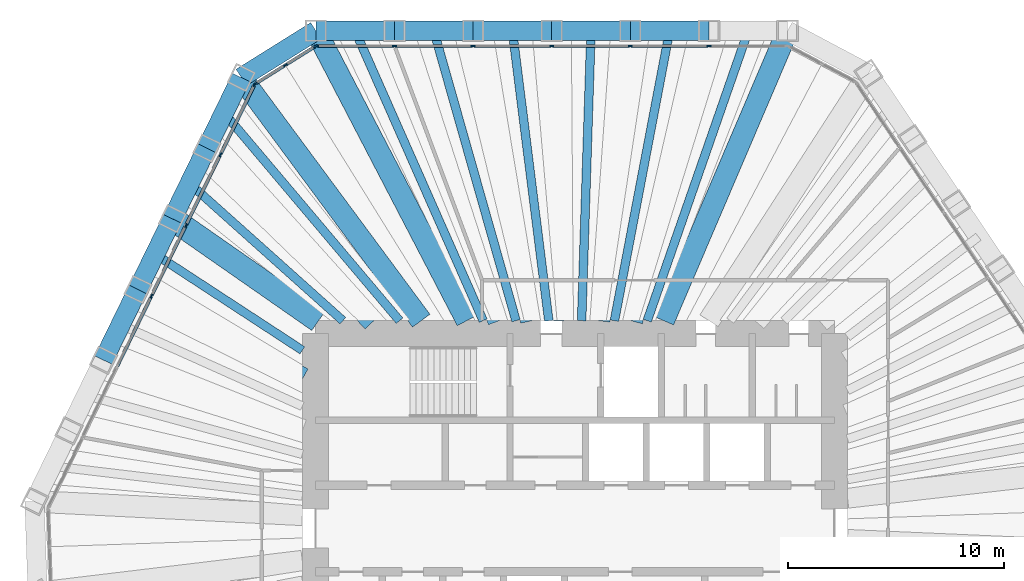
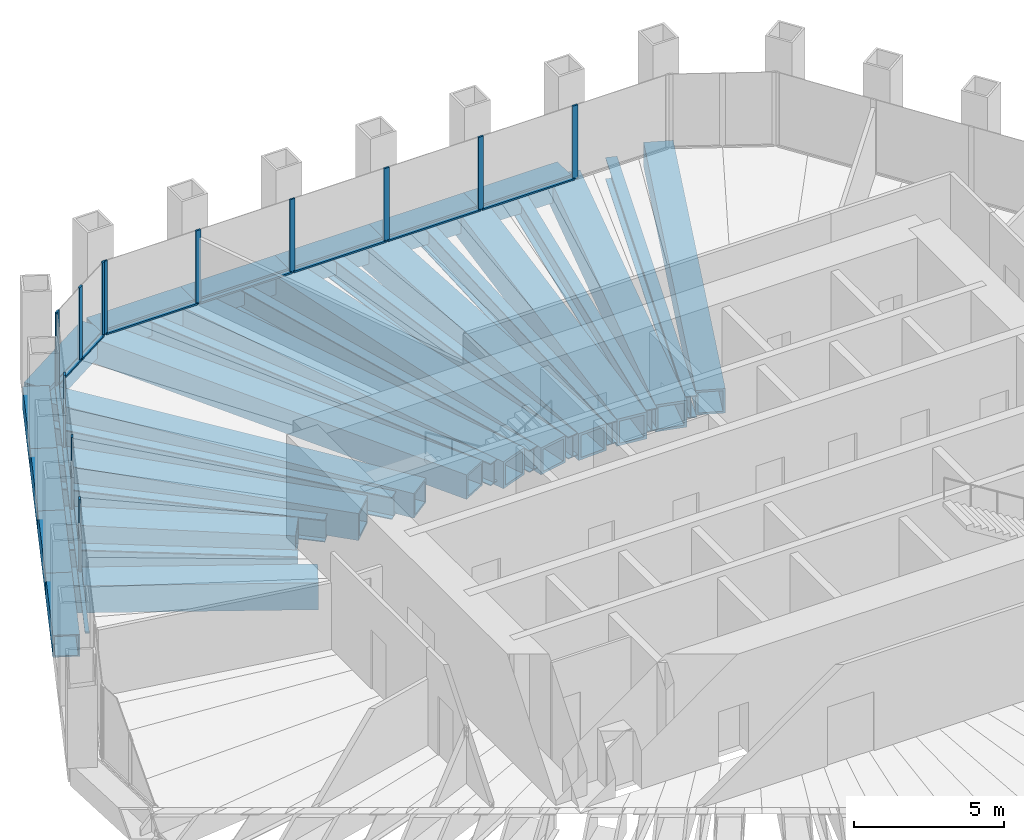
# One storey, part 5 of 12: 30 beams, 24 members, 3 elements without a shape of their own.
"""IFC4 building model written with IfcOpenShell, lengths in metres."""

import ifcopenshell
import ifcopenshell.guid

model = None  # the IFC model being written
_history = None  # IfcOwnerHistory: only IFC2X3 demands one
_inside = {}  # id of a spatial element -> (the spatial element, [elements in it])
_under = {}  # id of a project, library or spatial element -> (it, [spatial elements below it])
_declared = {}  # id of a project -> (the project, [libraries it declares])
_typed = {}  # id of a type object -> (the type object, [elements of that type])
_made_of = {}  # id of a material, layer set ... -> (it, [elements and type objects made of it])


def new_model(schema):
    """Start an empty IFC model of exactly this schema.

    Asked for "IFC4X3", IfcOpenShell would pick the latest addendum, in which some entities
    have other attributes; the version numbers below select the first issue.
    IFC2X3 requires an IfcOwnerHistory on every rooted entity: one is made here for all.
    """
    global model, _history
    if schema == "IFC4X3":
        model = ifcopenshell.file(schema_version=(4, 3, 0, 0))
    else:
        model = ifcopenshell.file(schema=schema)
    _inside.clear()
    _under.clear()
    _declared.clear()
    _typed.clear()
    _made_of.clear()
    _history = None
    if model.schema == "IFC2X3":
        org = make("IfcOrganization", Name="unknown")
        user = make(
            "IfcPersonAndOrganization",
            ThePerson=make("IfcPerson", FamilyName="unknown"),
            TheOrganization=org,
        )
        app = make(
            "IfcApplication",
            ApplicationDeveloper=org,
            Version="unknown",
            ApplicationFullName="unknown",
            ApplicationIdentifier="unknown",
        )
        _history = make(
            "IfcOwnerHistory",
            OwningUser=user,
            OwningApplication=app,
            ChangeAction="ADDED",
            CreationDate=0,
        )
    return model


def make(cls, **values):
    """One entity of the class cls with the attributes given. An attribute that is None is left unset."""
    return model.create_entity(
        cls, **{name: value for name, value in values.items() if value is not None}
    )


def rooted(cls, **values):
    """An entity with a GlobalId (a new one), such as an element, a storey or a relation."""
    return make(cls, GlobalId=ifcopenshell.guid.new(), OwnerHistory=_history, **values)


def si_unit(unit_type, name, prefix=None):
    """IfcSIUnit, for example si_unit("LENGTHUNIT", "METRE", prefix="MILLI")."""
    return make("IfcSIUnit", UnitType=unit_type, Prefix=prefix, Name=name)


def assignment(units):
    """IfcUnitAssignment: the units of a project."""
    return None if units is None else make("IfcUnitAssignment", Units=units)


def point(xyz):
    """IfcCartesianPoint."""
    return None if xyz is None else make("IfcCartesianPoint", Coordinates=xyz)


def direction(xyz):
    """IfcDirection."""
    return None if xyz is None else make("IfcDirection", DirectionRatios=xyz)


def frame(location, z_axis=None, x_axis=None):
    """IfcAxis2Placement3D, a coordinate frame: its origin and axes. An axis left out is left unset."""
    return make(
        "IfcAxis2Placement3D",
        Location=point(location),
        Axis=direction(z_axis),
        RefDirection=direction(x_axis),
    )


def frame_2d(location, x_axis=None):
    """IfcAxis2Placement2D, a coordinate frame in the plane: its origin and x axis."""
    return make(
        "IfcAxis2Placement2D", Location=point(location), RefDirection=direction(x_axis)
    )


def origin():
    """The frame at (0, 0, 0) with its axes left unset."""
    return frame((0.0, 0.0, 0.0))


def origin_2d():
    """The frame at (0, 0) in the plane with its x axis left unset."""
    return frame_2d((0.0, 0.0))


def place(relative_to, where):
    """IfcLocalPlacement: puts the frame where relative to a parent placement (None: the world)."""
    return make(
        "IfcLocalPlacement", PlacementRelTo=relative_to, RelativePlacement=where
    )


def context(
    kind, dimensions, precision=None, world=None, true_north=None, identifier=None
):
    """IfcGeometricRepresentationContext, for example the 3D "Model" context."""
    return make(
        "IfcGeometricRepresentationContext",
        ContextIdentifier=identifier,
        ContextType=kind,
        CoordinateSpaceDimension=dimensions,
        Precision=precision,
        WorldCoordinateSystem=world,
        TrueNorth=true_north,
    )


def subcontext(parent, identifier, kind, view, scale=None):
    """IfcGeometricRepresentationSubContext, for example "Body" below "Model"."""
    return make(
        "IfcGeometricRepresentationSubContext",
        ContextIdentifier=identifier,
        ContextType=kind,
        ParentContext=parent,
        TargetScale=scale,
        TargetView=view,
    )


def project(units=None, contexts=None):
    """IfcProject with its units and contexts."""
    return rooted(
        "IfcProject",
        Name="project",
        RepresentationContexts=contexts,
        UnitsInContext=assignment(units),
    )


def spatial(cls, under=None, at=None, **own):
    """A site, building, storey or space (cls), placed at a placement, below another one or the project."""
    s = rooted(cls, ObjectPlacement=at, **own)
    if under is not None:
        _under.setdefault(under.id(), (under, []))[1].append(s)
    return s


def profile(cls, at=None, kind="AREA", **sizes):
    """A parametric profile (cls). Its sizes go by their IFC names, for example OverallWidth=200.0."""
    return make(cls, ProfileType=kind, Position=at, **sizes)


def rectangle(**sizes):
    """IfcRectangleProfileDef."""
    return profile("IfcRectangleProfileDef", **sizes)


def hollow_rectangle(**sizes):
    """IfcRectangleHollowProfileDef."""
    return profile("IfcRectangleHollowProfileDef", **sizes)


def i_section(**sizes):
    """IfcIShapeProfileDef."""
    return profile("IfcIShapeProfileDef", **sizes)


def extrude(swept, where, along, depth):
    """IfcExtrudedAreaSolid: the profile swept, set in the frame where, extruded along a direction by depth."""
    return make(
        "IfcExtrudedAreaSolid",
        SweptArea=swept,
        Position=where,
        ExtrudedDirection=direction(along),
        Depth=depth,
    )


def shape(context_of_items, identifier, shape_type, items):
    """IfcShapeRepresentation: the items that make up one representation, for example the "Body"."""
    return make(
        "IfcShapeRepresentation",
        ContextOfItems=context_of_items,
        RepresentationIdentifier=identifier,
        RepresentationType=shape_type,
        Items=items,
    )


def material(Name=None, Category=None):
    """IfcMaterial."""
    return make("IfcMaterial", Name=Name, Category=Category)


def material_profile(
    of_material, cross_section, Name=None, Category=None, Priority=None
):
    """IfcMaterialProfile: a cross section and its material."""
    return make(
        "IfcMaterialProfile",
        Name=Name,
        Material=of_material,
        Profile=cross_section,
        Priority=Priority,
        Category=Category,
    )


def profile_set(profiles, Name=None, composite=None):
    """IfcMaterialProfileSet."""
    return make(
        "IfcMaterialProfileSet",
        Name=Name,
        MaterialProfiles=profiles,
        CompositeProfile=composite,
    )


def made_of(thing, what):
    """Note that an element or type object is made of a material, layer set ...; save() writes the relation."""
    if what is not None:
        _made_of.setdefault(what.id(), (what, []))[1].append(thing)
    return thing


def type_object(cls, material=None, **own):
    """A type object (cls), such as IfcWallType, which elements share."""
    return made_of(rooted(cls, **own), material)


def element(
    cls,
    number,
    at=None,
    inside=None,
    cuts=None,
    type_object=None,
    material=None,
    context=None,
    identifier="Body",
    shape_type=None,
    held_by="IfcProductDefinitionShape",
    body=None,
    shapes=None,
    **own,
):
    """One element of the class cls, such as IfcWall. Its Tag is "e" and its number.

    at: its placement. inside: the storey or other place that contains it. cuts: it is an
    opening in that element (IfcRelVoidsElement). A single representation is given by context,
    identifier, shape_type and body (its items); several are given by shapes. held_by: the class
    of the entity that holds the representations. save() writes the other relations.
    """
    e = rooted(cls, Tag="e%d" % number, ObjectPlacement=at, **own)
    if body is not None:
        shapes = [shape(context, identifier, shape_type, body)]
    if shapes is not None:
        e.Representation = make(held_by, Representations=shapes)
    if inside is not None:
        _inside.setdefault(inside.id(), (inside, []))[1].append(e)
    if cuts is not None:
        rooted(
            "IfcRelVoidsElement", RelatingBuildingElement=cuts, RelatedOpeningElement=e
        )
    if type_object is not None:
        _typed.setdefault(type_object.id(), (type_object, []))[1].append(e)
    return made_of(e, material)


def aggregate(whole, parts):
    """IfcRelAggregates: a whole, such as a stair, and the parts it consists of."""
    return rooted("IfcRelAggregates", RelatingObject=whole, RelatedObjects=parts)


def save(model, path):
    """Write the relations noted so far, then the file.

    IfcRelAggregates (storeys below a building ...), IfcRelContainedInSpatialStructure (elements
    in a storey), IfcRelDefinesByType, IfcRelAssociatesMaterial and IfcRelDeclares: one each for
    every whole, place, type object, material and project.
    """
    for whole, parts in _under.values():
        aggregate(whole, parts)
    for where, things in _inside.values():
        rooted(
            "IfcRelContainedInSpatialStructure",
            RelatedElements=things,
            RelatingStructure=where,
        )
    for kind, things in _typed.values():
        rooted("IfcRelDefinesByType", RelatedObjects=things, RelatingType=kind)
    for what, things in _made_of.values():
        rooted("IfcRelAssociatesMaterial", RelatedObjects=things, RelatingMaterial=what)
    for by, libraries in _declared.values():
        rooted("IfcRelDeclares", RelatingContext=by, RelatedDefinitions=libraries)
    model.write(path)


model = new_model("IFC4")

# Units and contexts
model_context = context("Model", 3, precision=1e-05, world=origin(), true_north=direction((0.0, 1.0)))
body_context = subcontext(model_context, "Body", "Model", "MODEL_VIEW")
ifc_project = project(units=[si_unit("LENGTHUNIT", "METRE"), si_unit("AREAUNIT", "SQUARE_METRE"), si_unit("VOLUMEUNIT", "CUBIC_METRE"), si_unit("PLANEANGLEUNIT", "RADIAN"), si_unit("MASSUNIT", "GRAM", prefix="KILO")], contexts=[model_context])

# Site, building, storey
site_placement = place(None, origin())
site = spatial("IfcSite", under=ifc_project, at=site_placement, CompositionType="ELEMENT")
building_placement = place(site_placement, origin())
building = spatial("IfcBuilding", under=site, at=building_placement, Name="Qingtian Harvest Tower", CompositionType="ELEMENT")
storey_placement = place(building_placement, frame((0.0, 0.0, 251.800048828125)))
storey = spatial("IfcBuildingStorey", under=building, at=storey_placement, Name="L55", CompositionType="ELEMENT", Elevation=251.800048828125)

# Beams
ifc_material_1 = material(Name="Steel SN490B", Category="steel")
ifc_material_profile_1 = material_profile(ifc_material_1, i_section(OverallWidth=0.39990234375, OverallDepth=0.89990234375, WebThickness=0.01904296875, FlangeThickness=0.035888671875, at=origin_2d()), Name="H900x400x19x36")
ifc_profile_set_1 = profile_set([ifc_material_profile_1], Name="Steel SN490B")
beam_type_1 = type_object("IfcBeamType", Name="Floor joist J4 H900x400x19x36", PredefinedType="JOIST", material=ifc_profile_set_1)
beam_1_placement = place(storey_placement, frame((-10.1552734375, 23.0, -0.6201171875), z_axis=(0.40391347792, -0.914797191925, 0.0), x_axis=(0.914797191925, 0.40391347792, 0.0)))
element("IfcBeam", 1, at=beam_1_placement, inside=storey, type_object=beam_type_1, Name="Floor joist J4 N0", PredefinedType="JOIST", context=body_context, shape_type="SweptSolid", body=[
    extrude(i_section(OverallWidth=0.39990234375, OverallDepth=0.89990234375, WebThickness=0.01904296875, FlangeThickness=0.035888671875, at=origin_2d()), origin(), (0.0, 0.0, 1.0), 14.64794921875),
])
beam_2_placement = place(storey_placement, frame((-6.521728515625, 23.0, -0.6201171875), z_axis=(0.272796737564, -0.962071691702, 0.0), x_axis=(0.962071691702, 0.272796737564, 0.0)))
element("IfcBeam", 2, at=beam_2_placement, inside=storey, type_object=beam_type_1, Name="Floor joist J4 N1", PredefinedType="JOIST", context=body_context, shape_type="SweptSolid", body=[
    extrude(i_section(OverallWidth=0.39990234375, OverallDepth=0.89990234375, WebThickness=0.01904296875, FlangeThickness=0.035888671875, at=origin_2d()), origin(), (0.0, 0.0, 1.0), 13.92822265625),
])
beam_3_placement = place(storey_placement, frame((-2.88818359375, 23.0, -0.6201171875), z_axis=(0.124590949529, -0.992208191508, 0.0), x_axis=(0.992208191508, 0.124590949529, 0.0)))
element("IfcBeam", 3, at=beam_3_placement, inside=storey, type_object=beam_type_1, Name="Floor joist J4 N2", PredefinedType="JOIST", context=body_context, shape_type="SweptSolid", body=[
    extrude(i_section(OverallWidth=0.39990234375, OverallDepth=0.89990234375, WebThickness=0.01904296875, FlangeThickness=0.035888671875, at=origin_2d()), origin(), (0.0, 0.0, 1.0), 13.505126953125),
])
beam_4_placement = place(storey_placement, frame((0.745361328125, 23.0, -0.6201171875), z_axis=(-0.032395624487, -0.99947512401, 0.0), x_axis=(0.99947512401, -0.032395624487, 0.0)))
element("IfcBeam", 4, at=beam_4_placement, inside=storey, type_object=beam_type_1, Name="Floor joist J4 N3", PredefinedType="JOIST", context=body_context, shape_type="SweptSolid", body=[
    extrude(i_section(OverallWidth=0.39990234375, OverallDepth=0.89990234375, WebThickness=0.01904296875, FlangeThickness=0.035888671875, at=origin_2d()), origin(), (0.0, 0.0, 1.0), 13.406982421875),
])
beam_5_placement = place(storey_placement, frame((4.37890625, 23.0, -0.6201171875), z_axis=(-0.187034797062, -0.982353289142, 0.0), x_axis=(0.982353289142, -0.187034797062, 0.0)))
element("IfcBeam", 5, at=beam_5_placement, inside=storey, type_object=beam_type_1, Name="Floor joist J4 N4", PredefinedType="JOIST", context=body_context, shape_type="SweptSolid", body=[
    extrude(i_section(OverallWidth=0.39990234375, OverallDepth=0.89990234375, WebThickness=0.01904296875, FlangeThickness=0.035888671875, at=origin_2d()), origin(), (0.0, 0.0, 1.0), 13.640625),
])
beam_6_placement = place(storey_placement, frame((8.012451171875, 23.0, -0.6201171875), z_axis=(-0.328969033283, -0.944340709247, 0.0), x_axis=(0.944340709247, -0.328969033283, 0.0)))
element("IfcBeam", 6, at=beam_6_placement, inside=storey, type_object=beam_type_1, Name="Floor joist J4 N5", PredefinedType="JOIST", context=body_context, shape_type="SweptSolid", body=[
    extrude(i_section(OverallWidth=0.39990234375, OverallDepth=0.89990234375, WebThickness=0.01904296875, FlangeThickness=0.035888671875, at=origin_2d()), origin(), (0.0, 0.0, 1.0), 14.189697265625),
])
beam_7_placement = place(storey_placement, frame((-19.40625, 12.678466796875, -0.6201171875), z_axis=(0.837161066611, -0.546956441182, 0.0), x_axis=(0.546956441182, 0.837161066611, 0.0)))
element("IfcBeam", 7, at=beam_7_placement, inside=storey, type_object=beam_type_1, Name="Floor joist J4 NW3", PredefinedType="JOIST", context=body_context, shape_type="SweptSolid", body=[
    extrude(i_section(OverallWidth=0.39990234375, OverallDepth=0.89990234375, WebThickness=0.01904296875, FlangeThickness=0.035888671875, at=origin_2d()), origin(), (0.0, 0.0, 1.0), 8.130126953125),
])
beam_8_placement = place(storey_placement, frame((-17.813232421875, 15.944091796875, -0.6201171875), z_axis=(0.745126517589, -0.66692313859, 0.0), x_axis=(0.66692313859, 0.745126517589, 0.0)))
element("IfcBeam", 8, at=beam_8_placement, inside=storey, type_object=beam_type_1, Name="Floor joist J4 NW4", PredefinedType="JOIST", context=body_context, shape_type="SweptSolid", body=[
    extrude(i_section(OverallWidth=0.39990234375, OverallDepth=0.89990234375, WebThickness=0.01904296875, FlangeThickness=0.035888671875, at=origin_2d()), origin(), (0.0, 0.0, 1.0), 9.512451171875),
])
beam_9_placement = place(storey_placement, frame((-16.220458984375, 19.2099609375, -0.6201171875), z_axis=(0.645157903911, -0.764049264787, 0.0), x_axis=(0.764049264787, 0.645157903911, 0.0)))
element("IfcBeam", 9, at=beam_9_placement, inside=storey, type_object=beam_type_1, Name="Floor joist J4 NW5", PredefinedType="JOIST", context=body_context, shape_type="SweptSolid", body=[
    extrude(i_section(OverallWidth=0.39990234375, OverallDepth=0.89990234375, WebThickness=0.01904296875, FlangeThickness=0.035888671875, at=origin_2d()), origin(), (0.0, 0.0, 1.0), 12.57763671875),
])

# Curtain wall, members
ifc_material_2 = material(Name="Bronze-anodised aluminium curtain wall", Category="aluminium")
curtain_wall_type = type_object("IfcCurtainWallType", Name="Curtain wall CW4 office", PredefinedType="USERDEFINED", material=ifc_material_2)
curtain_wall_1_placement = place(storey_placement, origin())
curtain_wall_1 = element("IfcCurtainWall", 10, at=curtain_wall_1_placement, inside=storey, type_object=curtain_wall_type, Name="Curtain wall CW4 L55 N0-5", ObjectType="RECESSED CURTAIN WALL", PredefinedType="USERDEFINED")
ifc_material_3 = material(Name="Bronze-anodised aluminium mullion", Category="aluminium")
ifc_material_profile_2 = material_profile(ifc_material_3, rectangle(XDim=0.06494140625, YDim=0.199951171875, at=origin_2d()), Name="AL 65x200")
ifc_profile_set_2 = profile_set([ifc_material_profile_2], Name="Bronze-anodised aluminium mullion")
member_type_1 = type_object("IfcMemberType", Name="Mullion CWM 65x200", PredefinedType="MULLION", material=ifc_profile_set_2)
member_1_placement = place(storey_placement, frame((-11.939453125, 22.300048828125, 0.0), z_axis=(0.0, 0.0, 1.0), x_axis=(0.0, 1.0, 0.0)))
member_1 = element("IfcMember", 11, at=member_1_placement, type_object=member_type_1, Name="CW4 mullion 1", PredefinedType="MULLION", context=body_context, shape_type="SweptSolid", body=[
    extrude(rectangle(XDim=0.06494140625, YDim=0.199951171875, at=origin_2d()), origin(), (0.0, 0.0, 1.0), 3.0),
])
member_2_placement = place(storey_placement, frame((-8.33837890625, 22.300048828125, 0.0), z_axis=(0.0, 0.0, 1.0), x_axis=(0.0, 1.0, 0.0)))
member_2 = element("IfcMember", 12, at=member_2_placement, type_object=member_type_1, Name="CW4 mullion 2", PredefinedType="MULLION", context=body_context, shape_type="SweptSolid", body=[
    extrude(rectangle(XDim=0.06494140625, YDim=0.199951171875, at=origin_2d()), origin(), (0.0, 0.0, 1.0), 3.0),
])
member_3_placement = place(storey_placement, frame((-4.704833984375, 22.300048828125, 0.0), z_axis=(0.0, 0.0, 1.0), x_axis=(0.0, 1.0, 0.0)))
member_3 = element("IfcMember", 13, at=member_3_placement, type_object=member_type_1, Name="CW4 mullion 3", PredefinedType="MULLION", context=body_context, shape_type="SweptSolid", body=[
    extrude(rectangle(XDim=0.06494140625, YDim=0.199951171875, at=origin_2d()), origin(), (0.0, 0.0, 1.0), 3.0),
])
member_4_placement = place(storey_placement, frame((-1.0712890625, 22.300048828125, 0.0), z_axis=(0.0, 0.0, 1.0), x_axis=(0.0, 1.0, 0.0)))
member_4 = element("IfcMember", 14, at=member_4_placement, type_object=member_type_1, Name="CW4 mullion 4", PredefinedType="MULLION", context=body_context, shape_type="SweptSolid", body=[
    extrude(rectangle(XDim=0.06494140625, YDim=0.199951171875, at=origin_2d()), origin(), (0.0, 0.0, 1.0), 3.0),
])
member_5_placement = place(storey_placement, frame((2.562255859375, 22.300048828125, 0.0), z_axis=(0.0, 0.0, 1.0), x_axis=(0.0, 1.0, 0.0)))
member_5 = element("IfcMember", 15, at=member_5_placement, type_object=member_type_1, Name="CW4 mullion 5", PredefinedType="MULLION", context=body_context, shape_type="SweptSolid", body=[
    extrude(rectangle(XDim=0.06494140625, YDim=0.199951171875, at=origin_2d()), origin(), (0.0, 0.0, 1.0), 3.0),
])
member_6_placement = place(storey_placement, frame((6.19580078125, 22.300048828125, 0.0), z_axis=(0.0, 0.0, 1.0), x_axis=(0.0, 1.0, 0.0)))
member_6 = element("IfcMember", 16, at=member_6_placement, type_object=member_type_1, Name="CW4 mullion 6", PredefinedType="MULLION", context=body_context, shape_type="SweptSolid", body=[
    extrude(rectangle(XDim=0.06494140625, YDim=0.199951171875, at=origin_2d()), origin(), (0.0, 0.0, 1.0), 3.0),
])

curtain_wall_2_placement = place(storey_placement, origin())
curtain_wall_2 = element("IfcCurtainWall", 17, at=curtain_wall_2_placement, inside=storey, type_object=curtain_wall_type, Name="Curtain wall CW4 L55 NW0-5", ObjectType="RECESSED CURTAIN WALL", PredefinedType="USERDEFINED")
member_7_placement = place(storey_placement, frame((-19.573486328125, 10.738525390625, 0.0), z_axis=(0.0, 0.0, 1.0), x_axis=(-0.898794046299, 0.438371146789, 0.0)))
member_7 = element("IfcMember", 18, at=member_7_placement, type_object=member_type_1, Name="CW4 mullion 4", PredefinedType="MULLION", context=body_context, shape_type="SweptSolid", body=[
    extrude(rectangle(XDim=0.06494140625, YDim=0.199951171875, at=origin_2d()), origin(), (0.0, 0.0, 1.0), 3.0),
])
member_8_placement = place(storey_placement, frame((-17.980712890625, 14.00439453125, 0.0), z_axis=(0.0, 0.0, 1.0), x_axis=(-0.898794046299, 0.438371146789, 0.0)))
member_8 = element("IfcMember", 19, at=member_8_placement, type_object=member_type_1, Name="CW4 mullion 5", PredefinedType="MULLION", context=body_context, shape_type="SweptSolid", body=[
    extrude(rectangle(XDim=0.06494140625, YDim=0.199951171875, at=origin_2d()), origin(), (0.0, 0.0, 1.0), 3.0),
])
member_9_placement = place(storey_placement, frame((-16.3876953125, 17.270263671875, 0.0), z_axis=(0.0, 0.0, 1.0), x_axis=(-0.898794046299, 0.438371146789, 0.0)))
member_9 = element("IfcMember", 20, at=member_9_placement, type_object=member_type_1, Name="CW4 mullion 6", PredefinedType="MULLION", context=body_context, shape_type="SweptSolid", body=[
    extrude(rectangle(XDim=0.06494140625, YDim=0.199951171875, at=origin_2d()), origin(), (0.0, 0.0, 1.0), 3.0),
])
member_10_placement = place(storey_placement, frame((-14.80908203125, 20.5068359375, 0.0), z_axis=(0.0, 0.0, 1.0), x_axis=(-0.898794046299, 0.438371146789, 0.0)))
member_10 = element("IfcMember", 21, at=member_10_placement, type_object=member_type_1, Name="CW4 mullion 7", PredefinedType="MULLION", context=body_context, shape_type="SweptSolid", body=[
    extrude(rectangle(XDim=0.06494140625, YDim=0.199951171875, at=origin_2d()), origin(), (0.0, 0.0, 1.0), 3.0),
])

curtain_wall_3_placement = place(storey_placement, origin())
curtain_wall_3 = element("IfcCurtainWall", 22, at=curtain_wall_3_placement, inside=storey, type_object=curtain_wall_type, Name="Curtain wall CW4 L55 NWC", ObjectType="RECESSED CURTAIN WALL", PredefinedType="USERDEFINED")
member_11_placement = place(storey_placement, frame((-14.767333984375, 20.55322265625, 0.0), z_axis=(0.0, 0.0, 1.0), x_axis=(-0.529919264233, 0.848048096156, 0.0)))
member_11 = element("IfcMember", 23, at=member_11_placement, type_object=member_type_1, Name="CW4 mullion 1", PredefinedType="MULLION", context=body_context, shape_type="SweptSolid", body=[
    extrude(rectangle(XDim=0.06494140625, YDim=0.199951171875, at=origin_2d()), origin(), (0.0, 0.0, 1.0), 3.0),
])
member_12_placement = place(storey_placement, frame((-13.383544921875, 21.41796875, 0.0), z_axis=(0.0, 0.0, 1.0), x_axis=(-0.529919264233, 0.848048096156, 0.0)))
member_12 = element("IfcMember", 24, at=member_12_placement, type_object=member_type_1, Name="CW4 mullion 2", PredefinedType="MULLION", context=body_context, shape_type="SweptSolid", body=[
    extrude(rectangle(XDim=0.06494140625, YDim=0.199951171875, at=origin_2d()), origin(), (0.0, 0.0, 1.0), 3.0),
])
member_13_placement = place(storey_placement, frame((-11.99951171875, 22.28271484375, 0.0), z_axis=(0.0, 0.0, 1.0), x_axis=(-0.529919264233, 0.848048096156, 0.0)))
member_13 = element("IfcMember", 25, at=member_13_placement, type_object=member_type_1, Name="CW4 mullion 3", PredefinedType="MULLION", context=body_context, shape_type="SweptSolid", body=[
    extrude(rectangle(XDim=0.06494140625, YDim=0.199951171875, at=origin_2d()), origin(), (0.0, 0.0, 1.0), 3.0),
])

# Beams
ifc_material_4 = material(Name="Steel SM570MC", Category="steel")
ifc_material_profile_3 = material_profile(ifc_material_4, hollow_rectangle(XDim=1.0, YDim=1.0, WallThickness=0.080078125, at=origin_2d()), Name="BOX1000x1000x80")
ifc_profile_set_3 = profile_set([ifc_material_profile_3], Name="Steel SM570MC")
beam_type_2 = type_object("IfcBeamType", Name="Transfer corner beam FB11 BOX1000x1000x80", PredefinedType="BEAM", material=ifc_profile_set_3)
beam_10_placement = place(storey_placement, frame((-11.971923828125, 23.0, -0.670166015625), z_axis=(0.461712460868, -0.887029651973, 0.0), x_axis=(0.887029651973, 0.461712460868, 0.0)))
element("IfcBeam", 26, at=beam_10_placement, inside=storey, type_object=beam_type_2, Name="Floor beam FB11 N0", PredefinedType="BEAM", context=body_context, shape_type="SweptSolid", body=[
    extrude(hollow_rectangle(XDim=1.0, YDim=1.0, WallThickness=0.080078125, at=origin_2d()), origin(), (0.0, 0.0, 1.0), 15.1064453125),
])
beam_11_placement = place(storey_placement, frame((9.829345703125, 23.0, -0.670166015625), z_axis=(-0.392976835482, -0.91954837109, 0.0), x_axis=(0.91954837109, -0.392976835482, 0.0)))
element("IfcBeam", 27, at=beam_11_placement, inside=storey, type_object=beam_type_2, Name="Floor beam FB11 N6", PredefinedType="BEAM", context=body_context, shape_type="SweptSolid", body=[
    extrude(hollow_rectangle(XDim=1.0, YDim=1.0, WallThickness=0.080078125, at=origin_2d()), origin(), (0.0, 0.0, 1.0), 14.572265625),
])
beam_12_placement = place(storey_placement, frame((-15.424072265625, 20.8427734375, -0.670166015625), z_axis=(0.594854284538, -0.803833552526, 0.0), x_axis=(0.803833552526, 0.594854284538, 0.0)))
element("IfcBeam", 28, at=beam_12_placement, inside=storey, type_object=beam_type_2, Name="Floor beam FB11 NW6", PredefinedType="BEAM", context=body_context, shape_type="SweptSolid", body=[
    extrude(hollow_rectangle(XDim=1.0, YDim=1.0, WallThickness=0.080078125, at=origin_2d()), origin(), (0.0, 0.0, 1.0), 13.986328125),
])
ifc_material_5 = material(Name="Steel SM570MC", Category="steel")
ifc_material_profile_4 = material_profile(ifc_material_5, hollow_rectangle(XDim=1.10009765625, YDim=1.10009765625, WallThickness=0.10009765625, at=origin_2d()), Name="BOX1100x1100x100")
ifc_profile_set_4 = profile_set([ifc_material_profile_4], Name="Steel SM570MC")
beam_type_3 = type_object("IfcBeamType", Name="Transfer floor beam FB9 BOX1100x1100x100", PredefinedType="BEAM", material=ifc_profile_set_4)
beam_13_placement = place(storey_placement, frame((-8.33837890625, 23.0, -0.719970703125), z_axis=(0.340826952705, -0.94012604916, 0.0), x_axis=(0.94012604916, 0.340826952705, 0.0)))
element("IfcBeam", 29, at=beam_13_placement, inside=storey, type_object=beam_type_3, Name="Floor beam FB9 N1", PredefinedType="BEAM", context=body_context, shape_type="SweptSolid", body=[
    extrude(hollow_rectangle(XDim=1.10009765625, YDim=1.10009765625, WallThickness=0.10009765625, at=origin_2d()), origin(), (0.0, 0.0, 1.0), 14.25341796875),
])
beam_14_placement = place(storey_placement, frame((-4.704833984375, 23.0, -0.719970703125), z_axis=(0.200401687601, -0.979713817197, 0.0), x_axis=(0.979713817197, 0.200401687601, 0.0)))
element("IfcBeam", 30, at=beam_14_placement, inside=storey, type_object=beam_type_3, Name="Floor beam FB9 N2", PredefinedType="BEAM", context=body_context, shape_type="SweptSolid", body=[
    extrude(hollow_rectangle(XDim=1.10009765625, YDim=1.10009765625, WallThickness=0.10009765625, at=origin_2d()), origin(), (0.0, 0.0, 1.0), 13.67724609375),
])
beam_15_placement = place(storey_placement, frame((-1.0712890625, 23.0, -0.719970703125), z_axis=(0.04651883736, -0.998917412888, 0.0), x_axis=(0.998917412888, 0.04651883736, 0.0)))
element("IfcBeam", 31, at=beam_15_placement, inside=storey, type_object=beam_type_3, Name="Floor beam FB9 N3", PredefinedType="BEAM", context=body_context, shape_type="SweptSolid", body=[
    extrude(hollow_rectangle(XDim=1.10009765625, YDim=1.10009765625, WallThickness=0.10009765625, at=origin_2d()), origin(), (0.0, 0.0, 1.0), 13.414306640625),
])
beam_16_placement = place(storey_placement, frame((2.562255859375, 23.0, -0.719970703125), z_axis=(-0.110727645803, -0.993850787822, 0.0), x_axis=(0.993850787822, -0.110727645803, 0.0)))
element("IfcBeam", 32, at=beam_16_placement, inside=storey, type_object=beam_type_3, Name="Floor beam FB9 N4", PredefinedType="BEAM", context=body_context, shape_type="SweptSolid", body=[
    extrude(hollow_rectangle(XDim=1.10009765625, YDim=1.10009765625, WallThickness=0.10009765625, at=origin_2d()), origin(), (0.0, 0.0, 1.0), 13.48291015625),
])
beam_17_placement = place(storey_placement, frame((6.19580078125, 23.0, -0.719970703125), z_axis=(-0.260121100906, -0.965576000563, 0.0), x_axis=(0.965576000563, -0.260121100906, 0.0)))
element("IfcBeam", 33, at=beam_17_placement, inside=storey, type_object=beam_type_3, Name="Floor beam FB9 N5", PredefinedType="BEAM", context=body_context, shape_type="SweptSolid", body=[
    extrude(hollow_rectangle(XDim=1.10009765625, YDim=1.10009765625, WallThickness=0.10009765625, at=origin_2d()), origin(), (0.0, 0.0, 1.0), 13.877685546875),
])
beam_18_placement = place(storey_placement, frame((-20.20263671875, 11.04541015625, -0.719970703125), z_axis=(0.87742673539, -0.479710666988, 0.0), x_axis=(0.479710666988, 0.87742673539, 0.0)))
element("IfcBeam", 34, at=beam_18_placement, inside=storey, type_object=beam_type_3, Name="Floor beam FB9 NW3", PredefinedType="BEAM", context=body_context, shape_type="SweptSolid", body=[
    extrude(hollow_rectangle(XDim=1.10009765625, YDim=1.10009765625, WallThickness=0.10009765625, at=origin_2d()), origin(), (0.0, 0.0, 1.0), 8.66455078125),
])
beam_19_placement = place(storey_placement, frame((-18.60986328125, 14.311279296875, -0.719970703125), z_axis=(0.820407854234, -0.571778762032, 0.0), x_axis=(0.571778762032, 0.820407854234, 0.0)))
element("IfcBeam", 35, at=beam_19_placement, inside=storey, type_object=beam_type_3, Name="Floor beam FB9 NW4", PredefinedType="BEAM", context=body_context, shape_type="SweptSolid", body=[
    extrude(hollow_rectangle(XDim=1.10009765625, YDim=1.10009765625, WallThickness=0.10009765625, at=origin_2d()), origin(), (0.0, 0.0, 1.0), 8.239501953125),
])
beam_20_placement = place(storey_placement, frame((-17.016845703125, 17.5771484375, -0.719970703125), z_axis=(0.695569024353, -0.718459276759, 0.0), x_axis=(0.718459276759, 0.695569024353, 0.0)))
element("IfcBeam", 36, at=beam_20_placement, inside=storey, type_object=beam_type_3, Name="Floor beam FB9 NW5", PredefinedType="BEAM", context=body_context, shape_type="SweptSolid", body=[
    extrude(hollow_rectangle(XDim=1.10009765625, YDim=1.10009765625, WallThickness=0.10009765625, at=origin_2d()), origin(), (0.0, 0.0, 1.0), 11.10302734375),
])
ifc_material_6 = material(Name="Steel SM570MC", Category="steel")
ifc_material_profile_5 = material_profile(ifc_material_6, hollow_rectangle(XDim=0.89990234375, YDim=0.89990234375, WallThickness=0.050048828125, at=origin_2d()), Name="BOX900x900x50")
ifc_profile_set_5 = profile_set([ifc_material_profile_5], Name="Steel SM570MC")
beam_type_4 = type_object("IfcBeamType", Name="Transition spandrel SB6 BOX900x900x50", PredefinedType="SPANDREL", material=ifc_profile_set_5)
for number, where, z_axis, x_axis, name in (
    (37, (-11.971923828125, 23.0, -0.449951171875), (1.0, 0.0, 0.0), (0.0, 1.0, 0.0), "Spandrel SB6 N0"),
    (38, (-8.33837890625, 23.0, -0.449951171875), (1.0, 0.0, 0.0), (0.0, 1.0, 0.0), "Spandrel SB6 N1"),
    (39, (-4.704833984375, 23.0, -0.449951171875), (1.0, 0.0, 0.0), (0.0, 1.0, 0.0), "Spandrel SB6 N2"),
    (40, (-1.0712890625, 23.0, -0.449951171875), (1.0, 0.0, 0.0), (0.0, 1.0, 0.0), "Spandrel SB6 N3"),
    (41, (2.562255859375, 23.0, -0.449951171875), (1.0, 0.0, 0.0), (0.0, 1.0, 0.0), "Spandrel SB6 N4"),
    (42, (-21.79541015625, 7.779541015625, -0.449951171875), (0.438349498419, 0.898804604592, 0.0), (-0.898804604592, 0.438349498419, 0.0), "Spandrel SB6 NW2"),
    (43, (-20.20263671875, 11.04541015625, -0.449951171875), (0.438349498419, 0.898804604592, 0.0), (-0.898804604592, 0.438349498419, 0.0), "Spandrel SB6 NW3"),
):
    element("IfcBeam", number, at=place(storey_placement, frame(where, z_axis=z_axis, x_axis=x_axis)), inside=storey, type_object=beam_type_4, Name=name, PredefinedType="SPANDREL", context=body_context, shape_type="SweptSolid", body=[
        extrude(hollow_rectangle(XDim=0.89990234375, YDim=0.89990234375, WallThickness=0.050048828125, at=origin_2d()), origin(), (0.0, 0.0, 1.0), 3.633544921875),
    ])
beam_21_placement = place(storey_placement, frame((-18.60986328125, 14.311279296875, -0.449951171875), z_axis=(0.438403775684, 0.898778131391, 0.0), x_axis=(-0.898778131391, 0.438403775684, 0.0)))
element("IfcBeam", 44, at=beam_21_placement, inside=storey, type_object=beam_type_4, Name="Spandrel SB6 NW4", PredefinedType="SPANDREL", context=body_context, shape_type="SweptSolid", body=[
    extrude(hollow_rectangle(XDim=0.89990234375, YDim=0.89990234375, WallThickness=0.050048828125, at=origin_2d()), origin(), (0.0, 0.0, 1.0), 3.6337890625),
])
beam_22_placement = place(storey_placement, frame((-17.016845703125, 17.5771484375, -0.449951171875), z_axis=(0.43837597217, 0.898791692788, 0.0), x_axis=(-0.898791692788, 0.43837597217, 0.0)))
element("IfcBeam", 45, at=beam_22_placement, inside=storey, type_object=beam_type_4, Name="Spandrel SB6 NW5", PredefinedType="SPANDREL", context=body_context, shape_type="SweptSolid", body=[
    extrude(hollow_rectangle(XDim=0.89990234375, YDim=0.89990234375, WallThickness=0.050048828125, at=origin_2d()), origin(), (0.0, 0.0, 1.0), 3.63330078125),
])
beam_23_placement = place(storey_placement, frame((-15.424072265625, 20.8427734375, -0.449951171875), z_axis=(0.848038733752, 0.529934246919, 0.0), x_axis=(-0.529934246919, 0.848038733752, 0.0)))
element("IfcBeam", 46, at=beam_23_placement, inside=storey, type_object=beam_type_4, Name="Spandrel SB6 NWC", PredefinedType="SPANDREL", context=body_context, shape_type="SweptSolid", body=[
    extrude(hollow_rectangle(XDim=0.89990234375, YDim=0.89990234375, WallThickness=0.050048828125, at=origin_2d()), origin(), (0.0, 0.0, 1.0), 4.07080078125),
])

# Member
ifc_material_7 = material(Name="Bronze-anodised aluminium transom", Category="aluminium")
ifc_material_profile_6 = material_profile(ifc_material_7, rectangle(XDim=0.14990234375, YDim=0.06494140625, at=origin_2d()), Name="AL 65x150")
ifc_profile_set_6 = profile_set([ifc_material_profile_6], Name="Bronze-anodised aluminium transom")
member_type_2 = type_object("IfcMemberType", Name="Transom CWT 65x150", PredefinedType="USERDEFINED", material=ifc_profile_set_6)
member_14_placement = place(storey_placement, frame((-11.906982421875, 22.300048828125, 0.032470703125), z_axis=(1.0, 0.0, 0.0), x_axis=(0.0, 1.0, 0.0)))
member_14 = element("IfcMember", 47, at=member_14_placement, type_object=member_type_2, Name="CW4 transom 1.1", ObjectType="TRANSOM", PredefinedType="USERDEFINED", context=body_context, shape_type="SweptSolid", body=[
    extrude(rectangle(XDim=0.14990234375, YDim=0.06494140625, at=origin_2d()), origin(), (0.0, 0.0, 1.0), 3.5361328125),
])

member_15_placement = place(storey_placement, frame((-8.305908203125, 22.300048828125, 0.032470703125), z_axis=(1.0, 0.0, 0.0), x_axis=(0.0, 1.0, 0.0)))
member_15 = element("IfcMember", 48, at=member_15_placement, type_object=member_type_2, Name="CW4 transom 2.1", ObjectType="TRANSOM", PredefinedType="USERDEFINED", context=body_context, shape_type="SweptSolid", body=[
    extrude(rectangle(XDim=0.14990234375, YDim=0.06494140625, at=origin_2d()), origin(), (0.0, 0.0, 1.0), 3.568603515625),
])

member_16_placement = place(storey_placement, frame((-4.67236328125, 22.300048828125, 0.032470703125), z_axis=(1.0, 0.0, 0.0), x_axis=(0.0, 1.0, 0.0)))
member_16 = element("IfcMember", 49, at=member_16_placement, type_object=member_type_2, Name="CW4 transom 3.1", ObjectType="TRANSOM", PredefinedType="USERDEFINED", context=body_context, shape_type="SweptSolid", body=[
    extrude(rectangle(XDim=0.14990234375, YDim=0.06494140625, at=origin_2d()), origin(), (0.0, 0.0, 1.0), 3.568603515625),
])

member_17_placement = place(storey_placement, frame((-1.038818359375, 22.300048828125, 0.032470703125), z_axis=(1.0, 0.0, 0.0), x_axis=(0.0, 1.0, 0.0)))
member_17 = element("IfcMember", 50, at=member_17_placement, type_object=member_type_2, Name="CW4 transom 4.1", ObjectType="TRANSOM", PredefinedType="USERDEFINED", context=body_context, shape_type="SweptSolid", body=[
    extrude(rectangle(XDim=0.14990234375, YDim=0.06494140625, at=origin_2d()), origin(), (0.0, 0.0, 1.0), 3.568603515625),
])

member_18_placement = place(storey_placement, frame((2.5947265625, 22.300048828125, 0.032470703125), z_axis=(1.0, 0.0, 0.0), x_axis=(0.0, 1.0, 0.0)))
member_18 = element("IfcMember", 51, at=member_18_placement, type_object=member_type_2, Name="CW4 transom 5.1", ObjectType="TRANSOM", PredefinedType="USERDEFINED", context=body_context, shape_type="SweptSolid", body=[
    extrude(rectangle(XDim=0.14990234375, YDim=0.06494140625, at=origin_2d()), origin(), (0.0, 0.0, 1.0), 3.568603515625),
])

aggregate(curtain_wall_1, [member_1, member_2, member_3, member_4, member_5, member_6, member_14, member_15, member_16, member_17, member_18])

member_19_placement = place(storey_placement, frame((-21.152099609375, 7.501953125, 0.032470703125), z_axis=(0.438380500422, 0.898789484167, 0.0), x_axis=(-0.898789484167, 0.438380500422, 0.0)))
member_19 = element("IfcMember", 52, at=member_19_placement, type_object=member_type_2, Name="CW4 transom 3.1", ObjectType="TRANSOM", PredefinedType="USERDEFINED", context=body_context, shape_type="SweptSolid", body=[
    extrude(rectangle(XDim=0.14990234375, YDim=0.06494140625, at=origin_2d()), origin(), (0.0, 0.0, 1.0), 3.568603515625),
])

member_20_placement = place(storey_placement, frame((-19.559326171875, 10.767822265625, 0.032470703125), z_axis=(0.438407456795, 0.898776335818, 0.0), x_axis=(-0.898776335818, 0.438407456795, 0.0)))
member_20 = element("IfcMember", 53, at=member_20_placement, type_object=member_type_2, Name="CW4 transom 4.1", ObjectType="TRANSOM", PredefinedType="USERDEFINED", context=body_context, shape_type="SweptSolid", body=[
    extrude(rectangle(XDim=0.14990234375, YDim=0.06494140625, at=origin_2d()), origin(), (0.0, 0.0, 1.0), 3.568603515625),
])

member_21_placement = place(storey_placement, frame((-17.96630859375, 14.03369140625, 0.032470703125), z_axis=(0.438352188226, 0.898803292761, 0.0), x_axis=(-0.898803292761, 0.438352188226, 0.0)))
member_21 = element("IfcMember", 54, at=member_21_placement, type_object=member_type_2, Name="CW4 transom 5.1", ObjectType="TRANSOM", PredefinedType="USERDEFINED", context=body_context, shape_type="SweptSolid", body=[
    extrude(rectangle(XDim=0.14990234375, YDim=0.06494140625, at=origin_2d()), origin(), (0.0, 0.0, 1.0), 3.568359375),
])

member_22_placement = place(storey_placement, frame((-16.37353515625, 17.29931640625, 0.032470703125), z_axis=(0.438354255898, 0.898802284341, 0.0), x_axis=(-0.898802284341, 0.438354255898, 0.0)))
member_22 = element("IfcMember", 55, at=member_22_placement, type_object=member_type_2, Name="CW4 transom 6.1", ObjectType="TRANSOM", PredefinedType="USERDEFINED", context=body_context, shape_type="SweptSolid", body=[
    extrude(rectangle(XDim=0.14990234375, YDim=0.06494140625, at=origin_2d()), origin(), (0.0, 0.0, 1.0), 3.5361328125),
])

aggregate(curtain_wall_2, [member_7, member_8, member_9, member_10, member_19, member_20, member_21, member_22])

member_23_placement = place(storey_placement, frame((-14.73974609375, 20.570556640625, 0.032470703125), z_axis=(0.848015812303, 0.529970925697, 0.0), x_axis=(-0.529970925697, 0.848015812303, 0.0)))
member_23 = element("IfcMember", 56, at=member_23_placement, type_object=member_type_2, Name="CW4 transom 1.1", ObjectType="TRANSOM", PredefinedType="USERDEFINED", context=body_context, shape_type="SweptSolid", body=[
    extrude(rectangle(XDim=0.14990234375, YDim=0.06494140625, at=origin_2d()), origin(), (0.0, 0.0, 1.0), 1.566650390625),
])

member_24_placement = place(storey_placement, frame((-13.35595703125, 21.435302734375, 0.032470703125), z_axis=(0.848059570903, 0.529900900357, 0.0), x_axis=(-0.529900900357, 0.848059570903, 0.0)))
member_24 = element("IfcMember", 57, at=member_24_placement, type_object=member_type_2, Name="CW4 transom 2.1", ObjectType="TRANSOM", PredefinedType="USERDEFINED", context=body_context, shape_type="SweptSolid", body=[
    extrude(rectangle(XDim=0.14990234375, YDim=0.06494140625, at=origin_2d()), origin(), (0.0, 0.0, 1.0), 1.56689453125),
])

aggregate(curtain_wall_3, [member_11, member_12, member_13, member_23, member_24])

save(model, "model.ifc")
